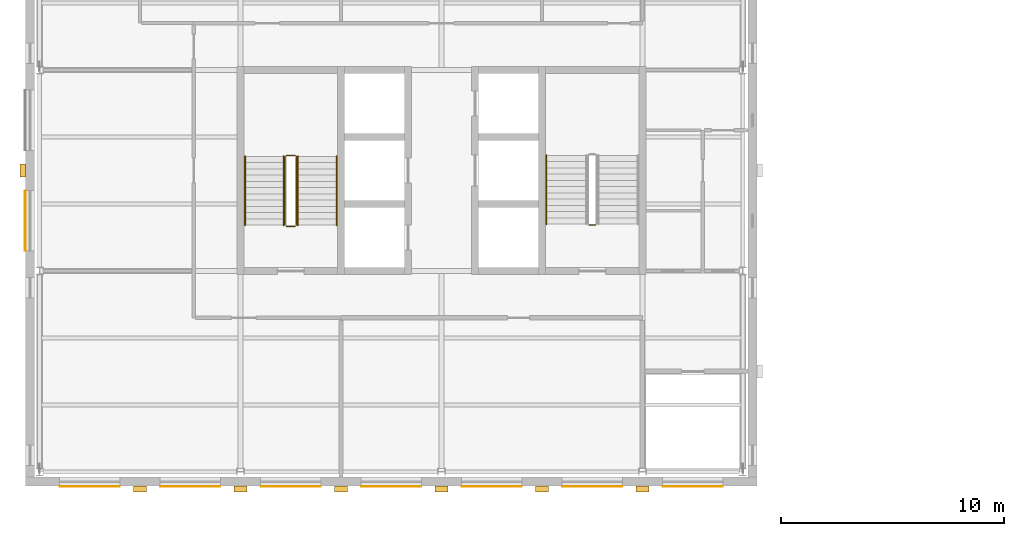
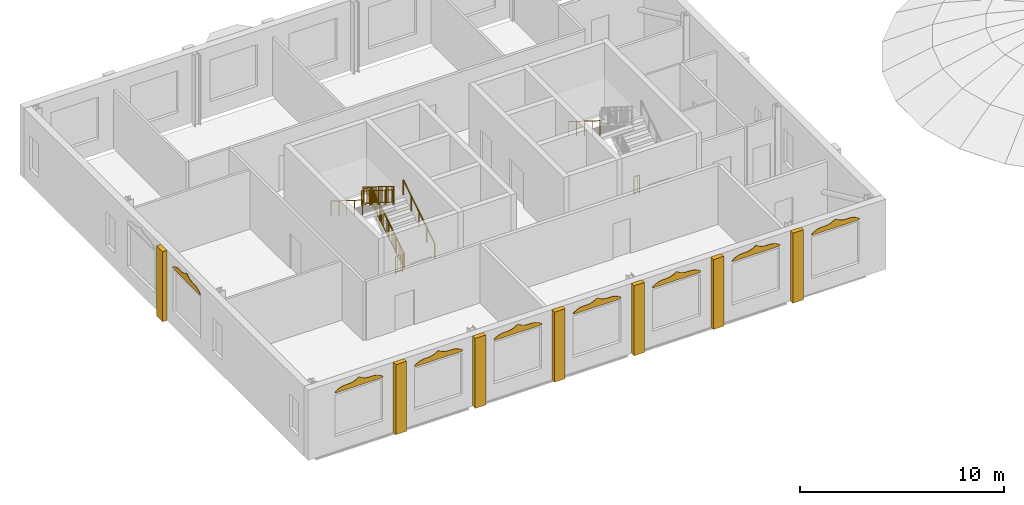
# One storey, part 10 of 11: 15 coverings, 10 railings.
"""IFC4 building model written with IfcOpenShell, lengths in metres."""

import ifcopenshell
import ifcopenshell.guid

model = None  # the IFC model being written
_history = None  # IfcOwnerHistory: only IFC2X3 demands one
_inside = {}  # id of a spatial element -> (the spatial element, [elements in it])
_under = {}  # id of a project, library or spatial element -> (it, [spatial elements below it])
_declared = {}  # id of a project -> (the project, [libraries it declares])
_typed = {}  # id of a type object -> (the type object, [elements of that type])
_made_of = {}  # id of a material, layer set ... -> (it, [elements and type objects made of it])


def new_model(schema):
    """Start an empty IFC model of exactly this schema.

    Asked for "IFC4X3", IfcOpenShell would pick the latest addendum, in which some entities
    have other attributes; the version numbers below select the first issue.
    IFC2X3 requires an IfcOwnerHistory on every rooted entity: one is made here for all.
    """
    global model, _history
    if schema == "IFC4X3":
        model = ifcopenshell.file(schema_version=(4, 3, 0, 0))
    else:
        model = ifcopenshell.file(schema=schema)
    _inside.clear()
    _under.clear()
    _declared.clear()
    _typed.clear()
    _made_of.clear()
    _history = None
    if model.schema == "IFC2X3":
        org = make("IfcOrganization", Name="unknown")
        user = make(
            "IfcPersonAndOrganization",
            ThePerson=make("IfcPerson", FamilyName="unknown"),
            TheOrganization=org,
        )
        app = make(
            "IfcApplication",
            ApplicationDeveloper=org,
            Version="unknown",
            ApplicationFullName="unknown",
            ApplicationIdentifier="unknown",
        )
        _history = make(
            "IfcOwnerHistory",
            OwningUser=user,
            OwningApplication=app,
            ChangeAction="ADDED",
            CreationDate=0,
        )
    return model


def make(cls, **values):
    """One entity of the class cls with the attributes given. An attribute that is None is left unset."""
    return model.create_entity(
        cls, **{name: value for name, value in values.items() if value is not None}
    )


def rooted(cls, **values):
    """An entity with a GlobalId (a new one), such as an element, a storey or a relation."""
    return make(cls, GlobalId=ifcopenshell.guid.new(), OwnerHistory=_history, **values)


def si_unit(unit_type, name, prefix=None):
    """IfcSIUnit, for example si_unit("LENGTHUNIT", "METRE", prefix="MILLI")."""
    return make("IfcSIUnit", UnitType=unit_type, Prefix=prefix, Name=name)


def assignment(units):
    """IfcUnitAssignment: the units of a project."""
    return None if units is None else make("IfcUnitAssignment", Units=units)


def point(xyz):
    """IfcCartesianPoint."""
    return None if xyz is None else make("IfcCartesianPoint", Coordinates=xyz)


def direction(xyz):
    """IfcDirection."""
    return None if xyz is None else make("IfcDirection", DirectionRatios=xyz)


def frame(location, z_axis=None, x_axis=None):
    """IfcAxis2Placement3D, a coordinate frame: its origin and axes. An axis left out is left unset."""
    return make(
        "IfcAxis2Placement3D",
        Location=point(location),
        Axis=direction(z_axis),
        RefDirection=direction(x_axis),
    )


def frame_2d(location, x_axis=None):
    """IfcAxis2Placement2D, a coordinate frame in the plane: its origin and x axis."""
    return make(
        "IfcAxis2Placement2D", Location=point(location), RefDirection=direction(x_axis)
    )


def origin():
    """The frame at (0, 0, 0) with its axes left unset."""
    return frame((0.0, 0.0, 0.0))


def origin_2d():
    """The frame at (0, 0) in the plane with its x axis left unset."""
    return frame_2d((0.0, 0.0))


def place(relative_to, where):
    """IfcLocalPlacement: puts the frame where relative to a parent placement (None: the world)."""
    return make(
        "IfcLocalPlacement", PlacementRelTo=relative_to, RelativePlacement=where
    )


def context(
    kind, dimensions, precision=None, world=None, true_north=None, identifier=None
):
    """IfcGeometricRepresentationContext, for example the 3D "Model" context."""
    return make(
        "IfcGeometricRepresentationContext",
        ContextIdentifier=identifier,
        ContextType=kind,
        CoordinateSpaceDimension=dimensions,
        Precision=precision,
        WorldCoordinateSystem=world,
        TrueNorth=true_north,
    )


def subcontext(parent, identifier, kind, view, scale=None):
    """IfcGeometricRepresentationSubContext, for example "Body" below "Model"."""
    return make(
        "IfcGeometricRepresentationSubContext",
        ContextIdentifier=identifier,
        ContextType=kind,
        ParentContext=parent,
        TargetScale=scale,
        TargetView=view,
    )


def project(units=None, contexts=None):
    """IfcProject with its units and contexts."""
    return rooted(
        "IfcProject",
        Name="project",
        RepresentationContexts=contexts,
        UnitsInContext=assignment(units),
    )


def spatial(cls, under=None, at=None, **own):
    """A site, building, storey or space (cls), placed at a placement, below another one or the project."""
    s = rooted(cls, ObjectPlacement=at, **own)
    if under is not None:
        _under.setdefault(under.id(), (under, []))[1].append(s)
    return s


def polyline(points):
    """IfcPolyline through the points."""
    return make("IfcPolyline", Points=[point(p) for p in points])


def profile(cls, at=None, kind="AREA", **sizes):
    """A parametric profile (cls). Its sizes go by their IFC names, for example OverallWidth=200.0."""
    return make(cls, ProfileType=kind, Position=at, **sizes)


def rectangle(**sizes):
    """IfcRectangleProfileDef."""
    return profile("IfcRectangleProfileDef", **sizes)


def circle(**sizes):
    """IfcCircleProfileDef."""
    return profile("IfcCircleProfileDef", **sizes)


def outline(outer, holes=None, kind="AREA"):
    """IfcArbitraryClosedProfileDef: a profile drawn as a closed curve; with holes, ...WithVoids."""
    if holes is None:
        return make("IfcArbitraryClosedProfileDef", ProfileType=kind, OuterCurve=outer)
    return make(
        "IfcArbitraryProfileDefWithVoids",
        ProfileType=kind,
        OuterCurve=outer,
        InnerCurves=holes,
    )


def extrude(swept, where, along, depth):
    """IfcExtrudedAreaSolid: the profile swept, set in the frame where, extruded along a direction by depth."""
    return make(
        "IfcExtrudedAreaSolid",
        SweptArea=swept,
        Position=where,
        ExtrudedDirection=direction(along),
        Depth=depth,
    )


def shape(context_of_items, identifier, shape_type, items):
    """IfcShapeRepresentation: the items that make up one representation, for example the "Body"."""
    return make(
        "IfcShapeRepresentation",
        ContextOfItems=context_of_items,
        RepresentationIdentifier=identifier,
        RepresentationType=shape_type,
        Items=items,
    )


def material(Name=None, Category=None):
    """IfcMaterial."""
    return make("IfcMaterial", Name=Name, Category=Category)


def layer(
    of_material, thickness, ventilated=None, Name=None, Category=None, Priority=None
):
    """IfcMaterialLayer: one layer of a wall or slab, of a material (None: an air gap)."""
    return make(
        "IfcMaterialLayer",
        Material=of_material,
        LayerThickness=thickness,
        IsVentilated=ventilated,
        Name=Name,
        Category=Category,
        Priority=Priority,
    )


def layer_set(layers, Name=None):
    """IfcMaterialLayerSet."""
    return make("IfcMaterialLayerSet", MaterialLayers=layers, LayerSetName=Name)


def made_of(thing, what):
    """Note that an element or type object is made of a material, layer set ...; save() writes the relation."""
    if what is not None:
        _made_of.setdefault(what.id(), (what, []))[1].append(thing)
    return thing


def type_object(cls, material=None, **own):
    """A type object (cls), such as IfcWallType, which elements share."""
    return made_of(rooted(cls, **own), material)


def element(
    cls,
    number,
    at=None,
    inside=None,
    cuts=None,
    type_object=None,
    material=None,
    context=None,
    identifier="Body",
    shape_type=None,
    held_by="IfcProductDefinitionShape",
    body=None,
    shapes=None,
    **own,
):
    """One element of the class cls, such as IfcWall. Its Tag is "e" and its number.

    at: its placement. inside: the storey or other place that contains it. cuts: it is an
    opening in that element (IfcRelVoidsElement). A single representation is given by context,
    identifier, shape_type and body (its items); several are given by shapes. held_by: the class
    of the entity that holds the representations. save() writes the other relations.
    """
    e = rooted(cls, Tag="e%d" % number, ObjectPlacement=at, **own)
    if body is not None:
        shapes = [shape(context, identifier, shape_type, body)]
    if shapes is not None:
        e.Representation = make(held_by, Representations=shapes)
    if inside is not None:
        _inside.setdefault(inside.id(), (inside, []))[1].append(e)
    if cuts is not None:
        rooted(
            "IfcRelVoidsElement", RelatingBuildingElement=cuts, RelatedOpeningElement=e
        )
    if type_object is not None:
        _typed.setdefault(type_object.id(), (type_object, []))[1].append(e)
    return made_of(e, material)


def aggregate(whole, parts):
    """IfcRelAggregates: a whole, such as a stair, and the parts it consists of."""
    return rooted("IfcRelAggregates", RelatingObject=whole, RelatedObjects=parts)


def save(model, path):
    """Write the relations noted so far, then the file.

    IfcRelAggregates (storeys below a building ...), IfcRelContainedInSpatialStructure (elements
    in a storey), IfcRelDefinesByType, IfcRelAssociatesMaterial and IfcRelDeclares: one each for
    every whole, place, type object, material and project.
    """
    for whole, parts in _under.values():
        aggregate(whole, parts)
    for where, things in _inside.values():
        rooted(
            "IfcRelContainedInSpatialStructure",
            RelatedElements=things,
            RelatingStructure=where,
        )
    for kind, things in _typed.values():
        rooted("IfcRelDefinesByType", RelatedObjects=things, RelatingType=kind)
    for what, things in _made_of.values():
        rooted("IfcRelAssociatesMaterial", RelatedObjects=things, RelatingMaterial=what)
    for by, libraries in _declared.values():
        rooted("IfcRelDeclares", RelatingContext=by, RelatedDefinitions=libraries)
    model.write(path)


model = new_model("IFC4")

# Units and contexts
model_context = context("Model", 3, precision=1e-05, world=origin(), true_north=direction((0.0, 1.0)))
body_context = subcontext(model_context, "Body", "Model", "MODEL_VIEW")
ifc_project = project(units=[si_unit("LENGTHUNIT", "METRE"), si_unit("AREAUNIT", "SQUARE_METRE"), si_unit("VOLUMEUNIT", "CUBIC_METRE"), si_unit("PLANEANGLEUNIT", "RADIAN"), si_unit("MASSUNIT", "GRAM", prefix="KILO")], contexts=[model_context])

# Site, building, storey
site_placement = place(None, origin())
site = spatial("IfcSite", under=ifc_project, at=site_placement, CompositionType="ELEMENT")
building_placement = place(site_placement, origin())
building = spatial("IfcBuilding", under=site, at=building_placement, Name="Hortulan Conservatory and Botanical Research Centre", CompositionType="ELEMENT")
storey_placement = place(building_placement, frame((0.0, 0.0, 27.60009765625)))
storey = spatial("IfcBuildingStorey", under=building, at=storey_placement, Name="L06", CompositionType="ELEMENT", Elevation=27.60009765625)

# Coverings
ifc_material_1 = material(Name="Faience cladding, cream glaze (non-combustible)", Category="ceramic")
ifc_layer_1 = layer(ifc_material_1, 0.030029296875)
ifc_layer_set_1 = layer_set([ifc_layer_1], Name="Faience Ogee Head Panel Cream 2700x500")
covering_type_1 = type_object("IfcCoveringType", Name="Faience Ogee Head Panel Cream 2700x500", PredefinedType="CLADDING", material=ifc_layer_set_1)
for number, where, z_axis, x_axis, name in (
    (1, (8.10009765625, -0.65087890625, 3.52001953125), (0.0, 0.0, 1.0), (-1.0, 0.0, 0.0), "Ogee head panel"),
    (2, (12.60009765625, -0.65087890625, 3.52001953125), (0.0, 0.0, 1.0), (-1.0, 0.0, 0.0), "Ogee head panel"),
    (3, (-0.639892578125, 9.89990234375, 3.52001953125), (0.0, 0.0, 1.0), (0.0, 1.0, 0.0), "Ogee head panel"),
):
    element("IfcCovering", number, at=place(storey_placement, frame(where, z_axis=z_axis, x_axis=x_axis)), inside=storey, type_object=covering_type_1, Name=name, PredefinedType="CLADDING", context=body_context, shape_type="SweptSolid", body=[
        extrude(outline(polyline([(0.0, 0.0), (2.699951171875, 0.0), (2.699951171875, 0.079833984375), (2.58740234375, 0.1484375), (2.47509765625, 0.2080078125), (2.362548828125, 0.252197265625), (2.25, 0.278076171875), (2.137451171875, 0.28857421875), (2.02490234375, 0.289794921875), (1.91259765625, 0.291259765625), (1.800048828125, 0.3017578125), (1.6875, 0.32763671875), (1.574951171875, 0.37158203125), (1.46240234375, 0.431396484375), (1.35009765625, 0.5), (1.237548828125, 0.431396484375), (1.125, 0.37158203125), (1.012451171875, 0.32763671875), (0.89990234375, 0.3017578125), (0.78759765625, 0.291259765625), (0.675048828125, 0.289794921875), (0.5625, 0.28857421875), (0.449951171875, 0.278076171875), (0.33740234375, 0.252197265625), (0.22509765625, 0.2080078125), (0.112548828125, 0.1484375), (0.0, 0.079833984375), (0.0, 0.0)])), frame((0.0, 0.01513671875, 0.0), z_axis=(0.0, -1.0, 0.0), x_axis=(1.0, 0.0, 0.0)), (0.0, 0.0, 1.0), 0.030029296875),
    ])
ifc_material_2 = material(Name="Faience cladding, waratah crimson glaze (non-combustible)", Category="ceramic")
ifc_layer_2 = layer(ifc_material_2, 0.030029296875)
ifc_layer_set_2 = layer_set([ifc_layer_2], Name="Faience Ogee Head Panel Crimson 2700x500")
covering_type_2 = type_object("IfcCoveringType", Name="Faience Ogee Head Panel Crimson 2700x500", PredefinedType="CLADDING", material=ifc_layer_set_2)
for number, where, z_axis, x_axis, name in (
    (4, (17.10009765625, -0.65087890625, 3.52001953125), (0.0, 0.0, 1.0), (-1.0, 0.0, 0.0), "Ogee head panel"),
    (5, (21.60009765625, -0.65087890625, 3.52001953125), (0.0, 0.0, 1.0), (-1.0, 0.0, 0.0), "Ogee head panel"),
):
    element("IfcCovering", number, at=place(storey_placement, frame(where, z_axis=z_axis, x_axis=x_axis)), inside=storey, type_object=covering_type_2, Name=name, PredefinedType="CLADDING", context=body_context, shape_type="SweptSolid", body=[
        extrude(outline(polyline([(0.0, 0.0), (2.699951171875, 0.0), (2.699951171875, 0.079833984375), (2.58740234375, 0.1484375), (2.47509765625, 0.2080078125), (2.362548828125, 0.252197265625), (2.25, 0.278076171875), (2.137451171875, 0.28857421875), (2.02490234375, 0.289794921875), (1.91259765625, 0.291259765625), (1.800048828125, 0.3017578125), (1.6875, 0.32763671875), (1.574951171875, 0.37158203125), (1.46240234375, 0.431396484375), (1.35009765625, 0.5), (1.237548828125, 0.431396484375), (1.125, 0.37158203125), (1.012451171875, 0.32763671875), (0.89990234375, 0.3017578125), (0.78759765625, 0.291259765625), (0.675048828125, 0.289794921875), (0.5625, 0.28857421875), (0.449951171875, 0.278076171875), (0.33740234375, 0.252197265625), (0.22509765625, 0.2080078125), (0.112548828125, 0.1484375), (0.0, 0.079833984375), (0.0, 0.0)])), frame((0.0, 0.01513671875, 0.0), z_axis=(0.0, -1.0, 0.0), x_axis=(1.0, 0.0, 0.0)), (0.0, 0.0, 1.0), 0.030029296875),
    ])
ifc_material_3 = material(Name="Faience cladding, harbour teal glaze (non-combustible)", Category="ceramic")
ifc_layer_3 = layer(ifc_material_3, 0.030029296875)
ifc_layer_set_3 = layer_set([ifc_layer_3], Name="Faience Ogee Head Panel Teal 2700x500")
covering_type_3 = type_object("IfcCoveringType", Name="Faience Ogee Head Panel Teal 2700x500", PredefinedType="CLADDING", material=ifc_layer_set_3)
for number, where, z_axis, x_axis, name in (
    (6, (3.60009765625, -0.65087890625, 3.52001953125), (0.0, 0.0, 1.0), (-1.0, 0.0, 0.0), "Ogee head panel"),
    (7, (26.10009765625, -0.65087890625, 3.52001953125), (0.0, 0.0, 1.0), (-1.0, 0.0, 0.0), "Ogee head panel"),
    (8, (30.60009765625, -0.65087890625, 3.52001953125), (0.0, 0.0, 1.0), (-1.0, 0.0, 0.0), "Ogee head panel"),
):
    element("IfcCovering", number, at=place(storey_placement, frame(where, z_axis=z_axis, x_axis=x_axis)), inside=storey, type_object=covering_type_3, Name=name, PredefinedType="CLADDING", context=body_context, shape_type="SweptSolid", body=[
        extrude(outline(polyline([(0.0, 0.0), (2.699951171875, 0.0), (2.699951171875, 0.079833984375), (2.58740234375, 0.1484375), (2.47509765625, 0.2080078125), (2.362548828125, 0.252197265625), (2.25, 0.278076171875), (2.137451171875, 0.28857421875), (2.02490234375, 0.289794921875), (1.91259765625, 0.291259765625), (1.800048828125, 0.3017578125), (1.6875, 0.32763671875), (1.574951171875, 0.37158203125), (1.46240234375, 0.431396484375), (1.35009765625, 0.5), (1.237548828125, 0.431396484375), (1.125, 0.37158203125), (1.012451171875, 0.32763671875), (0.89990234375, 0.3017578125), (0.78759765625, 0.291259765625), (0.675048828125, 0.289794921875), (0.5625, 0.28857421875), (0.449951171875, 0.278076171875), (0.33740234375, 0.252197265625), (0.22509765625, 0.2080078125), (0.112548828125, 0.1484375), (0.0, 0.079833984375), (0.0, 0.0)])), frame((0.0, 0.01513671875, 0.0), z_axis=(0.0, -1.0, 0.0), x_axis=(1.0, 0.0, 0.0)), (0.0, 0.0, 1.0), 0.030029296875),
    ])
ifc_layer_4 = layer(ifc_material_1, 0.25)
ifc_layer_set_4 = layer_set([ifc_layer_4], Name="Faience Pilaster 600x250")
covering_type_4 = type_object("IfcCoveringType", Name="Faience Pilaster 600x250", PredefinedType="CLADDING", material=ifc_layer_set_4)
for number, where, z_axis, x_axis, name in (
    (9, (27.0, -0.760986328125, 0.0), (0.0, 0.0, 1.0), (-1.0, 0.0, 0.0), "Pier"),
    (10, (22.5, -0.760986328125, 0.0), (0.0, 0.0, 1.0), (-1.0, 0.0, 0.0), "Pier"),
    (11, (18.0, -0.760986328125, 0.0), (0.0, 0.0, 1.0), (-1.0, 0.0, 0.0), "Pier"),
    (12, (13.5, -0.760986328125, 0.0), (0.0, 0.0, 1.0), (-1.0, 0.0, 0.0), "Pier"),
    (13, (9.0, -0.760986328125, 0.0), (0.0, 0.0, 1.0), (-1.0, 0.0, 0.0), "Pier"),
    (14, (4.5, -0.760986328125, 0.0), (0.0, 0.0, 1.0), (-1.0, 0.0, 0.0), "Pier"),
    (15, (-0.75, 13.5, 0.0), (0.0, 0.0, 1.0), (0.0, 1.0, 0.0), "Pier"),
):
    element("IfcCovering", number, at=place(storey_placement, frame(where, z_axis=z_axis, x_axis=x_axis)), inside=storey, type_object=covering_type_4, Name=name, PredefinedType="CLADDING", context=body_context, shape_type="SweptSolid", body=[
        extrude(rectangle(XDim=0.60009765625, YDim=0.25, at=origin_2d()), origin(), (0.0, 0.0, 1.0), 4.199951171875),
    ])

# Railings
ifc_material_4 = material(Name="Steel balustrade, bronze-charcoal paint", Category="steel")
railing_type_1 = type_object("IfcRailingType", Name="Stair Guard 1100", PredefinedType="GUARDRAIL", material=ifc_material_4)
railing_1_placement = place(storey_placement, frame((11.5, 11.050048828125, 0.1748046875)))
element("IfcRailing", 16, at=railing_1_placement, inside=storey, type_object=railing_type_1, Name="Guard T1 L06 stair 1", PredefinedType="GUARDRAIL", context=body_context, shape_type="SweptSolid", body=[
    extrude(circle(Radius=0.02392578125, at=origin_2d()), frame((0.0, 0.0, 1.076171875), z_axis=(0.0, 0.847979421464, 0.530029150871), x_axis=(-1.0, 0.0, 0.0)), (0.0, 0.0, 1.0), 3.632080078125),
    extrude(circle(Radius=0.02392578125, at=origin_2d()), frame((0.0, 0.0, 0.1240234375), z_axis=(0.0, 0.847979421464, 0.530029150871), x_axis=(-1.0, 0.0, 0.0)), (0.0, 0.0, 1.0), 3.632080078125),
    extrude(circle(Radius=0.008056640625, at=origin_2d()), frame((0.0, 0.090576171875, 0.204833984375)), (0.0, 0.0, 1.0), 0.90380859375),
    extrude(circle(Radius=0.008056640625, at=origin_2d()), frame((0.0, 0.18115234375, 0.261474609375)), (0.0, 0.0, 1.0), 0.90380859375),
    extrude(circle(Radius=0.008056640625, at=origin_2d()), frame((0.0, 0.271728515625, 0.318115234375)), (0.0, 0.0, 1.0), 0.90380859375),
    extrude(circle(Radius=0.008056640625, at=origin_2d()), frame((0.0, 0.3623046875, 0.374755859375)), (0.0, 0.0, 1.0), 0.90380859375),
    extrude(circle(Radius=0.008056640625, at=origin_2d()), frame((0.0, 0.452880859375, 0.431396484375)), (0.0, 0.0, 1.0), 0.90380859375),
    extrude(circle(Radius=0.008056640625, at=origin_2d()), frame((0.0, 0.54345703125, 0.48779296875)), (0.0, 0.0, 1.0), 0.90380859375),
    extrude(circle(Radius=0.008056640625, at=origin_2d()), frame((0.0, 0.634033203125, 0.54443359375)), (0.0, 0.0, 1.0), 0.90380859375),
    extrude(circle(Radius=0.008056640625, at=origin_2d()), frame((0.0, 0.724609375, 0.60107421875)), (0.0, 0.0, 1.0), 0.90380859375),
    extrude(circle(Radius=0.008056640625, at=origin_2d()), frame((0.0, 0.815185546875, 0.65771484375)), (0.0, 0.0, 1.0), 0.90380859375),
    extrude(circle(Radius=0.008056640625, at=origin_2d()), frame((0.0, 0.90576171875, 0.71435546875)), (0.0, 0.0, 1.0), 0.90380859375),
    extrude(circle(Radius=0.008056640625, at=origin_2d()), frame((0.0, 0.996337890625, 0.77099609375)), (0.0, 0.0, 1.0), 0.90380859375),
    extrude(circle(Radius=0.008056640625, at=origin_2d()), frame((0.0, 1.0869140625, 0.82763671875)), (0.0, 0.0, 1.0), 0.90380859375),
    extrude(circle(Radius=0.008056640625, at=origin_2d()), frame((0.0, 1.177490234375, 0.88427734375)), (0.0, 0.0, 1.0), 0.90380859375),
    extrude(circle(Radius=0.008056640625, at=origin_2d()), frame((0.0, 1.26806640625, 0.94091796875)), (0.0, 0.0, 1.0), 0.90380859375),
    extrude(circle(Radius=0.008056640625, at=origin_2d()), frame((0.0, 1.358642578125, 0.99755859375)), (0.0, 0.0, 1.0), 0.90380859375),
    extrude(circle(Radius=0.008056640625, at=origin_2d()), frame((0.0, 1.44921875, 1.05419921875)), (0.0, 0.0, 1.0), 0.90380859375),
    extrude(circle(Radius=0.008056640625, at=origin_2d()), frame((0.0, 1.5400390625, 1.11083984375)), (0.0, 0.0, 1.0), 0.90380859375),
    extrude(circle(Radius=0.008056640625, at=origin_2d()), frame((0.0, 1.630615234375, 1.167236328125)), (0.0, 0.0, 1.0), 0.90380859375),
    extrude(circle(Radius=0.008056640625, at=origin_2d()), frame((0.0, 1.72119140625, 1.223876953125)), (0.0, 0.0, 1.0), 0.90380859375),
    extrude(circle(Radius=0.008056640625, at=origin_2d()), frame((0.0, 1.811767578125, 1.280517578125)), (0.0, 0.0, 1.0), 0.90380859375),
    extrude(circle(Radius=0.008056640625, at=origin_2d()), frame((0.0, 1.90234375, 1.337158203125)), (0.0, 0.0, 1.0), 0.90380859375),
    extrude(circle(Radius=0.008056640625, at=origin_2d()), frame((0.0, 1.992919921875, 1.393798828125)), (0.0, 0.0, 1.0), 0.90380859375),
    extrude(circle(Radius=0.008056640625, at=origin_2d()), frame((0.0, 2.08349609375, 1.450439453125)), (0.0, 0.0, 1.0), 0.90380859375),
    extrude(circle(Radius=0.008056640625, at=origin_2d()), frame((0.0, 2.174072265625, 1.507080078125)), (0.0, 0.0, 1.0), 0.90380859375),
    extrude(circle(Radius=0.008056640625, at=origin_2d()), frame((0.0, 2.2646484375, 1.563720703125)), (0.0, 0.0, 1.0), 0.90380859375),
    extrude(circle(Radius=0.008056640625, at=origin_2d()), frame((0.0, 2.355224609375, 1.620361328125)), (0.0, 0.0, 1.0), 0.90380859375),
    extrude(circle(Radius=0.008056640625, at=origin_2d()), frame((0.0, 2.44580078125, 1.677001953125)), (0.0, 0.0, 1.0), 0.90380859375),
    extrude(circle(Radius=0.008056640625, at=origin_2d()), frame((0.0, 2.536376953125, 1.733642578125)), (0.0, 0.0, 1.0), 0.90380859375),
    extrude(circle(Radius=0.008056640625, at=origin_2d()), frame((0.0, 2.626953125, 1.7900390625)), (0.0, 0.0, 1.0), 0.90380859375),
    extrude(circle(Radius=0.008056640625, at=origin_2d()), frame((0.0, 2.717529296875, 1.8466796875)), (0.0, 0.0, 1.0), 0.90380859375),
    extrude(circle(Radius=0.008056640625, at=origin_2d()), frame((0.0, 2.80810546875, 1.9033203125)), (0.0, 0.0, 1.0), 0.90380859375),
    extrude(circle(Radius=0.008056640625, at=origin_2d()), frame((0.0, 2.898681640625, 1.9599609375)), (0.0, 0.0, 1.0), 0.90380859375),
    extrude(circle(Radius=0.008056640625, at=origin_2d()), frame((0.0, 2.9892578125, 2.0166015625)), (0.0, 0.0, 1.0), 0.90380859375),
    extrude(circle(Radius=0.02099609375, at=origin_2d()), origin(), (0.0, 0.0, 1.0), 1.052001953125),
    extrude(circle(Radius=0.02099609375, at=origin_2d()), frame((0.0, 0.77001953125, 0.481201171875)), (0.0, 0.0, 1.0), 1.052001953125),
    extrude(circle(Radius=0.02099609375, at=origin_2d()), frame((0.0, 1.5400390625, 0.96240234375)), (0.0, 0.0, 1.0), 1.052001953125),
    extrude(circle(Radius=0.02099609375, at=origin_2d()), frame((0.0, 2.309814453125, 1.44384765625)), (0.0, 0.0, 1.0), 1.052001953125),
    extrude(circle(Radius=0.02099609375, at=origin_2d()), frame((0.0, 3.079833984375, 1.925048828125)), (0.0, 0.0, 1.0), 1.052001953125),
])
railing_2_placement = place(storey_placement, frame((11.449951171875, 14.179931640625, 2.099853515625)))
element("IfcRailing", 17, at=railing_2_placement, inside=storey, type_object=railing_type_1, Name="Guard T1 L06 stair 2", PredefinedType="GUARDRAIL", context=body_context, shape_type="SweptSolid", body=[
    extrude(circle(Radius=0.02392578125, at=origin_2d()), frame((0.0, 0.0, 1.076171875), z_axis=(-1.0, 0.0, 0.0), x_axis=(0.0, -1.0, 0.0)), (0.0, 0.0, 1.0), 0.39990234375),
    extrude(circle(Radius=0.02392578125, at=origin_2d()), frame((0.0, 0.0, 0.1240234375), z_axis=(-1.0, 0.0, 0.0), x_axis=(0.0, -1.0, 0.0)), (0.0, 0.0, 1.0), 0.39990234375),
    extrude(circle(Radius=0.008056640625, at=origin_2d()), frame((-0.10009765625, 0.0, 0.148193359375)), (0.0, 0.0, 1.0), 0.90380859375),
    extrude(circle(Radius=0.008056640625, at=origin_2d()), frame((-0.199951171875, 0.0, 0.148193359375)), (0.0, 0.0, 1.0), 0.90380859375),
    extrude(circle(Radius=0.008056640625, at=origin_2d()), frame((-0.2998046875, 0.0, 0.148193359375)), (0.0, 0.0, 1.0), 0.90380859375),
    extrude(circle(Radius=0.02099609375, at=origin_2d()), origin(), (0.0, 0.0, 1.0), 1.052001953125),
    extrude(circle(Radius=0.02099609375, at=origin_2d()), frame((-0.39990234375, 0.0, 0.0)), (0.0, 0.0, 1.0), 1.052001953125),
])
railing_3_placement = place(storey_placement, frame((11.0, 14.1298828125, 2.27490234375)))
element("IfcRailing", 18, at=railing_3_placement, inside=storey, type_object=railing_type_1, Name="Guard T1 L06 stair 3", PredefinedType="GUARDRAIL", context=body_context, shape_type="SweptSolid", body=[
    extrude(circle(Radius=0.02392578125, at=origin_2d()), frame((0.0, 0.0, 1.076171875), z_axis=(0.0, -0.847979421464, 0.530029150871), x_axis=(1.0, 0.0, 0.0)), (0.0, 0.0, 1.0), 3.632080078125),
    extrude(circle(Radius=0.02392578125, at=origin_2d()), frame((0.0, 0.0, 0.1240234375), z_axis=(0.0, -0.847979421464, 0.530029150871), x_axis=(1.0, 0.0, 0.0)), (0.0, 0.0, 1.0), 3.632080078125),
    extrude(circle(Radius=0.008056640625, at=origin_2d()), frame((0.0, -0.090576171875, 0.204833984375)), (0.0, 0.0, 1.0), 0.90380859375),
    extrude(circle(Radius=0.008056640625, at=origin_2d()), frame((0.0, -0.18115234375, 0.261474609375)), (0.0, 0.0, 1.0), 0.90380859375),
    extrude(circle(Radius=0.008056640625, at=origin_2d()), frame((0.0, -0.271728515625, 0.318115234375)), (0.0, 0.0, 1.0), 0.90380859375),
    extrude(circle(Radius=0.008056640625, at=origin_2d()), frame((0.0, -0.3623046875, 0.374755859375)), (0.0, 0.0, 1.0), 0.90380859375),
    extrude(circle(Radius=0.008056640625, at=origin_2d()), frame((0.0, -0.452880859375, 0.431396484375)), (0.0, 0.0, 1.0), 0.90380859375),
    extrude(circle(Radius=0.008056640625, at=origin_2d()), frame((0.0, -0.54345703125, 0.48779296875)), (0.0, 0.0, 1.0), 0.90380859375),
    extrude(circle(Radius=0.008056640625, at=origin_2d()), frame((0.0, -0.634033203125, 0.54443359375)), (0.0, 0.0, 1.0), 0.90380859375),
    extrude(circle(Radius=0.008056640625, at=origin_2d()), frame((0.0, -0.724609375, 0.60107421875)), (0.0, 0.0, 1.0), 0.90380859375),
    extrude(circle(Radius=0.008056640625, at=origin_2d()), frame((0.0, -0.815185546875, 0.65771484375)), (0.0, 0.0, 1.0), 0.90380859375),
    extrude(circle(Radius=0.008056640625, at=origin_2d()), frame((0.0, -0.90576171875, 0.71435546875)), (0.0, 0.0, 1.0), 0.90380859375),
    extrude(circle(Radius=0.008056640625, at=origin_2d()), frame((0.0, -0.996337890625, 0.77099609375)), (0.0, 0.0, 1.0), 0.90380859375),
    extrude(circle(Radius=0.008056640625, at=origin_2d()), frame((0.0, -1.0869140625, 0.82763671875)), (0.0, 0.0, 1.0), 0.90380859375),
    extrude(circle(Radius=0.008056640625, at=origin_2d()), frame((0.0, -1.177490234375, 0.88427734375)), (0.0, 0.0, 1.0), 0.90380859375),
    extrude(circle(Radius=0.008056640625, at=origin_2d()), frame((0.0, -1.26806640625, 0.94091796875)), (0.0, 0.0, 1.0), 0.90380859375),
    extrude(circle(Radius=0.008056640625, at=origin_2d()), frame((0.0, -1.358642578125, 0.99755859375)), (0.0, 0.0, 1.0), 0.90380859375),
    extrude(circle(Radius=0.008056640625, at=origin_2d()), frame((0.0, -1.44921875, 1.05419921875)), (0.0, 0.0, 1.0), 0.90380859375),
    extrude(circle(Radius=0.008056640625, at=origin_2d()), frame((0.0, -1.5400390625, 1.11083984375)), (0.0, 0.0, 1.0), 0.90380859375),
    extrude(circle(Radius=0.008056640625, at=origin_2d()), frame((0.0, -1.630615234375, 1.167236328125)), (0.0, 0.0, 1.0), 0.90380859375),
    extrude(circle(Radius=0.008056640625, at=origin_2d()), frame((0.0, -1.72119140625, 1.223876953125)), (0.0, 0.0, 1.0), 0.90380859375),
    extrude(circle(Radius=0.008056640625, at=origin_2d()), frame((0.0, -1.811767578125, 1.280517578125)), (0.0, 0.0, 1.0), 0.90380859375),
    extrude(circle(Radius=0.008056640625, at=origin_2d()), frame((0.0, -1.90234375, 1.337158203125)), (0.0, 0.0, 1.0), 0.90380859375),
    extrude(circle(Radius=0.008056640625, at=origin_2d()), frame((0.0, -1.992919921875, 1.393798828125)), (0.0, 0.0, 1.0), 0.90380859375),
    extrude(circle(Radius=0.008056640625, at=origin_2d()), frame((0.0, -2.08349609375, 1.450439453125)), (0.0, 0.0, 1.0), 0.90380859375),
    extrude(circle(Radius=0.008056640625, at=origin_2d()), frame((0.0, -2.174072265625, 1.507080078125)), (0.0, 0.0, 1.0), 0.90380859375),
    extrude(circle(Radius=0.008056640625, at=origin_2d()), frame((0.0, -2.2646484375, 1.563720703125)), (0.0, 0.0, 1.0), 0.90380859375),
    extrude(circle(Radius=0.008056640625, at=origin_2d()), frame((0.0, -2.355224609375, 1.620361328125)), (0.0, 0.0, 1.0), 0.90380859375),
    extrude(circle(Radius=0.008056640625, at=origin_2d()), frame((0.0, -2.44580078125, 1.677001953125)), (0.0, 0.0, 1.0), 0.90380859375),
    extrude(circle(Radius=0.008056640625, at=origin_2d()), frame((0.0, -2.536376953125, 1.733642578125)), (0.0, 0.0, 1.0), 0.90380859375),
    extrude(circle(Radius=0.008056640625, at=origin_2d()), frame((0.0, -2.626953125, 1.7900390625)), (0.0, 0.0, 1.0), 0.90380859375),
    extrude(circle(Radius=0.008056640625, at=origin_2d()), frame((0.0, -2.717529296875, 1.8466796875)), (0.0, 0.0, 1.0), 0.90380859375),
    extrude(circle(Radius=0.008056640625, at=origin_2d()), frame((0.0, -2.80810546875, 1.9033203125)), (0.0, 0.0, 1.0), 0.90380859375),
    extrude(circle(Radius=0.008056640625, at=origin_2d()), frame((0.0, -2.898681640625, 1.9599609375)), (0.0, 0.0, 1.0), 0.90380859375),
    extrude(circle(Radius=0.008056640625, at=origin_2d()), frame((0.0, -2.9892578125, 2.0166015625)), (0.0, 0.0, 1.0), 0.90380859375),
    extrude(circle(Radius=0.02099609375, at=origin_2d()), origin(), (0.0, 0.0, 1.0), 1.052001953125),
    extrude(circle(Radius=0.02099609375, at=origin_2d()), frame((0.0, -0.77001953125, 0.481201171875)), (0.0, 0.0, 1.0), 1.052001953125),
    extrude(circle(Radius=0.02099609375, at=origin_2d()), frame((0.0, -1.5400390625, 0.96240234375)), (0.0, 0.0, 1.0), 1.052001953125),
    extrude(circle(Radius=0.02099609375, at=origin_2d()), frame((0.0, -2.309814453125, 1.44384765625)), (0.0, 0.0, 1.0), 1.052001953125),
    extrude(circle(Radius=0.02099609375, at=origin_2d()), frame((0.0, -3.079833984375, 1.925048828125)), (0.0, 0.0, 1.0), 1.052001953125),
])
railing_4_placement = place(storey_placement, frame((11.449951171875, 11.0, 0.0)))
element("IfcRailing", 19, at=railing_4_placement, inside=storey, type_object=railing_type_1, Name="Guard T1 L06 stair 4", PredefinedType="GUARDRAIL", context=body_context, shape_type="SweptSolid", body=[
    extrude(circle(Radius=0.02392578125, at=origin_2d()), frame((0.0, 0.0, 1.076171875), z_axis=(-1.0, 0.0, 0.0), x_axis=(0.0, -1.0, 0.0)), (0.0, 0.0, 1.0), 0.39990234375),
    extrude(circle(Radius=0.02392578125, at=origin_2d()), frame((0.0, 0.0, 0.1240234375), z_axis=(-1.0, 0.0, 0.0), x_axis=(0.0, -1.0, 0.0)), (0.0, 0.0, 1.0), 0.39990234375),
    extrude(circle(Radius=0.008056640625, at=origin_2d()), frame((-0.10009765625, 0.0, 0.148193359375)), (0.0, 0.0, 1.0), 0.90380859375),
    extrude(circle(Radius=0.008056640625, at=origin_2d()), frame((-0.199951171875, 0.0, 0.148193359375)), (0.0, 0.0, 1.0), 0.90380859375),
    extrude(circle(Radius=0.008056640625, at=origin_2d()), frame((-0.2998046875, 0.0, 0.148193359375)), (0.0, 0.0, 1.0), 0.90380859375),
    extrude(circle(Radius=0.02099609375, at=origin_2d()), origin(), (0.0, 0.0, 1.0), 1.052001953125),
    extrude(circle(Radius=0.02099609375, at=origin_2d()), frame((-0.39990234375, 0.0, 0.0)), (0.0, 0.0, 1.0), 1.052001953125),
])
railing_5_placement = place(storey_placement, frame((24.89990234375, 11.050048828125, 0.0)))
element("IfcRailing", 20, at=railing_5_placement, inside=storey, type_object=railing_type_1, Name="Guard T2 L06 stair 4", PredefinedType="GUARDRAIL", context=body_context, shape_type="SweptSolid", body=[
    extrude(circle(Radius=0.02392578125, at=origin_2d()), frame((0.0, 0.0, 1.076171875), z_axis=(-1.0, 0.0, 0.0), x_axis=(0.0, -1.0, 0.0)), (0.0, 0.0, 1.0), 0.2998046875),
    extrude(circle(Radius=0.02392578125, at=origin_2d()), frame((0.0, 0.0, 0.1240234375), z_axis=(-1.0, 0.0, 0.0), x_axis=(0.0, -1.0, 0.0)), (0.0, 0.0, 1.0), 0.2998046875),
    extrude(circle(Radius=0.008056640625, at=origin_2d()), frame((-0.099853515625, 0.0, 0.148193359375)), (0.0, 0.0, 1.0), 0.90380859375),
    extrude(circle(Radius=0.008056640625, at=origin_2d()), frame((-0.199951171875, 0.0, 0.148193359375)), (0.0, 0.0, 1.0), 0.90380859375),
    extrude(circle(Radius=0.02099609375, at=origin_2d()), origin(), (0.0, 0.0, 1.0), 1.052001953125),
    extrude(circle(Radius=0.02099609375, at=origin_2d()), frame((-0.2998046875, 0.0, 0.0)), (0.0, 0.0, 1.0), 1.052001953125),
])
ifc_material_5 = material(Name="Bronze handrail, polished", Category="metal")
railing_type_2 = type_object("IfcRailingType", Name="Stair Handrail 900", PredefinedType="HANDRAIL", material=ifc_material_5)
railing_6_placement = place(storey_placement, frame((13.300048828125, 11.050048828125, 0.1748046875)))
element("IfcRailing", 21, at=railing_6_placement, inside=storey, type_object=railing_type_2, Name="Handrail T1 L06 stair 1", PredefinedType="HANDRAIL", context=body_context, shape_type="SweptSolid", body=[
    extrude(circle(Radius=0.02392578125, at=origin_2d()), frame((0.0, 0.0, 0.8759765625), z_axis=(0.0, 0.847979421464, 0.530029150871), x_axis=(-1.0, 0.0, 0.0)), (0.0, 0.0, 1.0), 3.632080078125),
    extrude(circle(Radius=0.02099609375, at=origin_2d()), origin(), (0.0, 0.0, 1.0), 0.851806640625),
    extrude(circle(Radius=0.02099609375, at=origin_2d()), frame((0.0, 0.77001953125, 0.481201171875)), (0.0, 0.0, 1.0), 0.851806640625),
    extrude(circle(Radius=0.02099609375, at=origin_2d()), frame((0.0, 1.5400390625, 0.96240234375)), (0.0, 0.0, 1.0), 0.851806640625),
    extrude(circle(Radius=0.02099609375, at=origin_2d()), frame((0.0, 2.309814453125, 1.44384765625)), (0.0, 0.0, 1.0), 0.851806640625),
    extrude(circle(Radius=0.02099609375, at=origin_2d()), frame((0.0, 3.079833984375, 1.925048828125)), (0.0, 0.0, 1.0), 0.851806640625),
])
railing_7_placement = place(storey_placement, frame((9.199951171875, 14.1298828125, 2.27490234375)))
element("IfcRailing", 22, at=railing_7_placement, inside=storey, type_object=railing_type_2, Name="Handrail T1 L06 stair 2", PredefinedType="HANDRAIL", context=body_context, shape_type="SweptSolid", body=[
    extrude(circle(Radius=0.02392578125, at=origin_2d()), frame((0.0, 0.0, 0.8759765625), z_axis=(0.0, -0.847979421464, 0.530029150871), x_axis=(1.0, 0.0, 0.0)), (0.0, 0.0, 1.0), 3.632080078125),
    extrude(circle(Radius=0.02099609375, at=origin_2d()), origin(), (0.0, 0.0, 1.0), 0.851806640625),
    extrude(circle(Radius=0.02099609375, at=origin_2d()), frame((0.0, -0.77001953125, 0.481201171875)), (0.0, 0.0, 1.0), 0.851806640625),
    extrude(circle(Radius=0.02099609375, at=origin_2d()), frame((0.0, -1.5400390625, 0.96240234375)), (0.0, 0.0, 1.0), 0.851806640625),
    extrude(circle(Radius=0.02099609375, at=origin_2d()), frame((0.0, -2.309814453125, 1.44384765625)), (0.0, 0.0, 1.0), 0.851806640625),
    extrude(circle(Radius=0.02099609375, at=origin_2d()), frame((0.0, -3.079833984375, 1.925048828125)), (0.0, 0.0, 1.0), 0.851806640625),
])
railing_8_placement = place(storey_placement, frame((11.570068359375, 11.050048828125, 0.1748046875)))
element("IfcRailing", 23, at=railing_8_placement, inside=storey, type_object=railing_type_2, Name="Handrail T1 L06 stair 3", PredefinedType="HANDRAIL", context=body_context, shape_type="SweptSolid", body=[
    extrude(circle(Radius=0.02392578125, at=origin_2d()), frame((0.0, 0.0, 0.8759765625), z_axis=(0.0, 0.847979421464, 0.530029150871), x_axis=(-1.0, 0.0, 0.0)), (0.0, 0.0, 1.0), 3.632080078125),
    extrude(circle(Radius=0.02099609375, at=origin_2d()), origin(), (0.0, 0.0, 1.0), 0.851806640625),
    extrude(circle(Radius=0.02099609375, at=origin_2d()), frame((0.0, 0.77001953125, 0.481201171875)), (0.0, 0.0, 1.0), 0.851806640625),
    extrude(circle(Radius=0.02099609375, at=origin_2d()), frame((0.0, 1.5400390625, 0.96240234375)), (0.0, 0.0, 1.0), 0.851806640625),
    extrude(circle(Radius=0.02099609375, at=origin_2d()), frame((0.0, 2.309814453125, 1.44384765625)), (0.0, 0.0, 1.0), 0.851806640625),
    extrude(circle(Radius=0.02099609375, at=origin_2d()), frame((0.0, 3.079833984375, 1.925048828125)), (0.0, 0.0, 1.0), 0.851806640625),
])
for number, where, name in (
    (24, (10.929931640625, 14.1298828125, 2.27490234375), "Handrail T1 L06 stair 4"),
    (25, (22.699951171875, 14.179931640625, 2.27490234375), "Handrail T2 L06 stair 2"),
):
    element("IfcRailing", number, at=place(storey_placement, frame(where)), inside=storey, type_object=railing_type_2, Name=name, PredefinedType="HANDRAIL", context=body_context, shape_type="SweptSolid", body=[
        extrude(circle(Radius=0.02392578125, at=origin_2d()), frame((0.0, 0.0, 0.8759765625), z_axis=(0.0, -0.847979421464, 0.530029150871), x_axis=(1.0, 0.0, 0.0)), (0.0, 0.0, 1.0), 3.632080078125),
        extrude(circle(Radius=0.02099609375, at=origin_2d()), origin(), (0.0, 0.0, 1.0), 0.851806640625),
        extrude(circle(Radius=0.02099609375, at=origin_2d()), frame((0.0, -0.77001953125, 0.481201171875)), (0.0, 0.0, 1.0), 0.851806640625),
        extrude(circle(Radius=0.02099609375, at=origin_2d()), frame((0.0, -1.5400390625, 0.96240234375)), (0.0, 0.0, 1.0), 0.851806640625),
        extrude(circle(Radius=0.02099609375, at=origin_2d()), frame((0.0, -2.309814453125, 1.44384765625)), (0.0, 0.0, 1.0), 0.851806640625),
        extrude(circle(Radius=0.02099609375, at=origin_2d()), frame((0.0, -3.079833984375, 1.925048828125)), (0.0, 0.0, 1.0), 0.851806640625),
    ])

save(model, "model.ifc")
